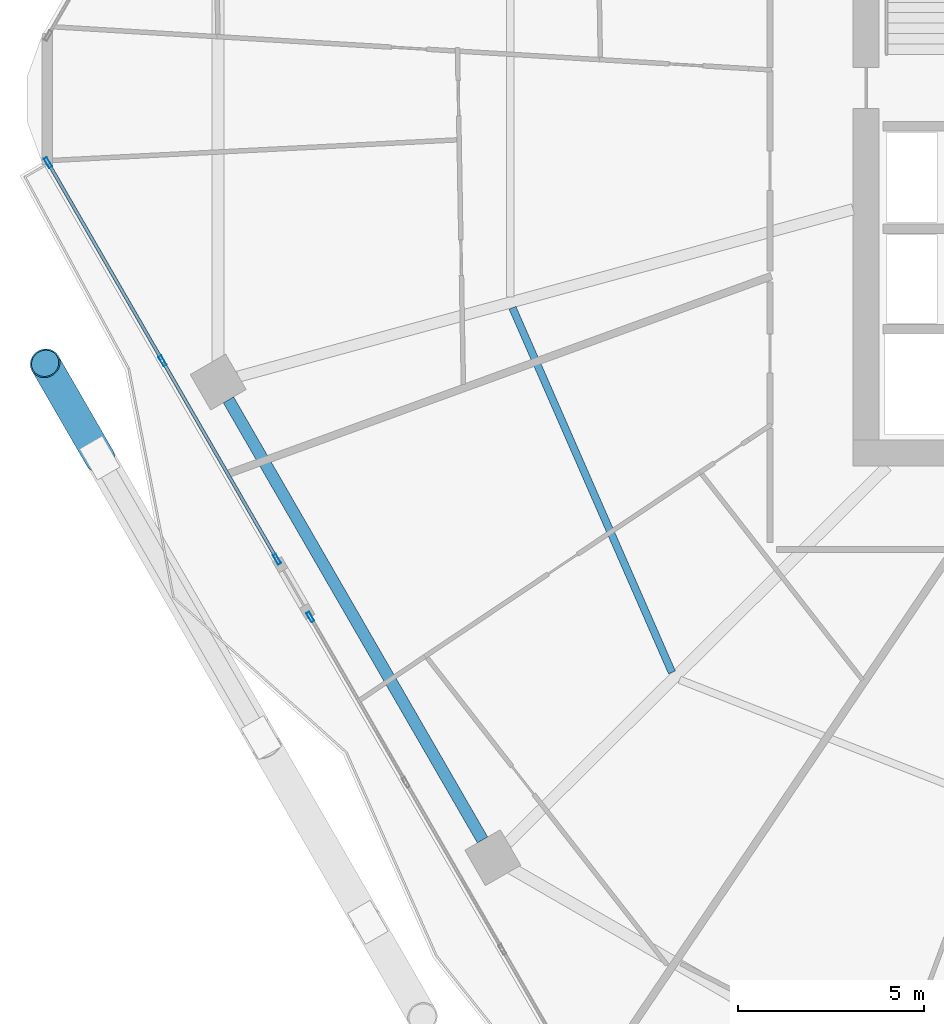
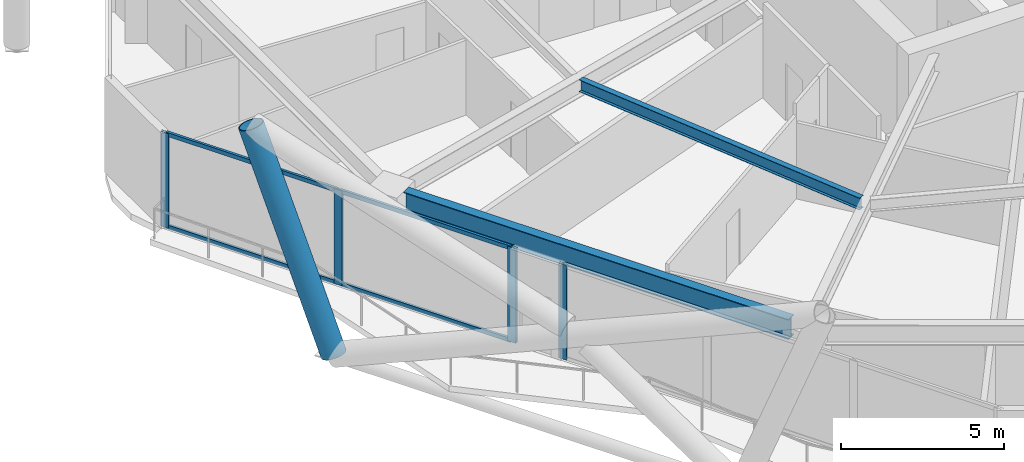
# One storey, part 5 of 34: 9 members, 2 beams, 2 elements without a shape of their own.
"""IFC4 building model written with IfcOpenShell, lengths in metres."""

from ifc_helpers import new_model, si_unit, direction, frame, origin, origin_2d, place, context, subcontext, project, spatial, hollow_rectangle, hollow_circle, i_section, extrude, material, material_profile, profile_set, type_object, element, aggregate, save


model = new_model("IFC4")

# Units and contexts
model_context = context("Model", 3, precision=1e-05, world=origin(), true_north=direction((0.0, 1.0)))
body_context = subcontext(model_context, "Body", "Model", "MODEL_VIEW")
ifc_project = project(units=[si_unit("LENGTHUNIT", "METRE"), si_unit("AREAUNIT", "SQUARE_METRE"), si_unit("VOLUMEUNIT", "CUBIC_METRE"), si_unit("PLANEANGLEUNIT", "RADIAN"), si_unit("MASSUNIT", "GRAM", prefix="KILO")], contexts=[model_context])

# Site, building, storey
site_placement = place(None, origin())
site = spatial("IfcSite", under=ifc_project, at=site_placement, CompositionType="ELEMENT")
building_placement = place(site_placement, origin())
building = spatial("IfcBuilding", under=site, at=building_placement, Name="Zuhravey Tower", CompositionType="ELEMENT")
storey_placement = place(building_placement, frame((0.0, 0.0, 100.0)))
storey = spatial("IfcBuildingStorey", under=building, at=storey_placement, Name="L24", CompositionType="ELEMENT", Elevation=100.0)

# Curtain wall, member
ifc_material_1 = material(Name="Thermally broken anodised aluminium", Category="aluminium")
curtain_wall_type = type_object("IfcCurtainWallType", Name="Zone 1-2 Residential Curtain Wall CW3", PredefinedType="NOTDEFINED", material=ifc_material_1)
curtain_wall_1_placement = place(storey_placement, origin())
curtain_wall_1 = element("IfcCurtainWall", 1, at=curtain_wall_1_placement, inside=storey, type_object=curtain_wall_type, Name="L24 CW3 CW-L24-F4-1", PredefinedType="NOTDEFINED")
ifc_material_2 = material(Name="Anodised aluminium", Category="aluminium")
ifc_material_profile_1 = material_profile(ifc_material_2, hollow_rectangle(XDim=0.090087890625, YDim=0.284912109375, WallThickness=0.0048828125, at=origin_2d()), Name="ALU-RHS-90x285x5")
ifc_profile_set_1 = profile_set([ifc_material_profile_1], Name="Anodised aluminium")
member_type_1 = type_object("IfcMemberType", Name="Curtain-Wall Mullion 90x180", PredefinedType="MULLION", material=ifc_profile_set_1)
member_1_placement = place(storey_placement, frame((10.583984375, 18.104736328125, 0.0), z_axis=(0.0, 0.0, 1.0), x_axis=(-0.866025805934, -0.499999303456, 0.0)))
member_1 = element("IfcMember", 2, at=member_1_placement, type_object=member_type_1, Name="CW3 mullion 4", PredefinedType="MULLION", context=body_context, shape_type="SweptSolid", body=[
    extrude(hollow_rectangle(XDim=0.090087890625, YDim=0.284912109375, WallThickness=0.0048828125, at=origin_2d()), origin(), (0.0, 0.0, 1.0), 3.550048828125),
])
aggregate(curtain_wall_1, [member_1])

# Curtain wall, members
curtain_wall_2_placement = place(storey_placement, origin())
curtain_wall_2 = element("IfcCurtainWall", 3, at=curtain_wall_2_placement, inside=storey, type_object=curtain_wall_type, Name="L24 CW3 CW-L24-F4-2", PredefinedType="NOTDEFINED")
member_2_placement = place(storey_placement, frame((9.689208984375, 19.65478515625, 0.0), z_axis=(0.0, 0.0, 1.0), x_axis=(-0.866026055952, -0.499998870411, 0.0)))
member_2 = element("IfcMember", 4, at=member_2_placement, type_object=member_type_1, Name="CW3 mullion 1", PredefinedType="MULLION", context=body_context, shape_type="SweptSolid", body=[
    extrude(hollow_rectangle(XDim=0.090087890625, YDim=0.284912109375, WallThickness=0.0048828125, at=origin_2d()), origin(), (0.0, 0.0, 1.0), 3.550048828125),
])
member_3_placement = place(storey_placement, frame((6.616455078125, 24.976806640625, 0.0), z_axis=(0.0, 0.0, 1.0), x_axis=(-0.866026055952, -0.499998870411, 0.0)))
member_3 = element("IfcMember", 5, at=member_3_placement, type_object=member_type_1, Name="CW3 mullion 2", PredefinedType="MULLION", context=body_context, shape_type="SweptSolid", body=[
    extrude(hollow_rectangle(XDim=0.090087890625, YDim=0.284912109375, WallThickness=0.0048828125, at=origin_2d()), origin(), (0.0, 0.0, 1.0), 3.550048828125),
])
member_4_placement = place(storey_placement, frame((3.5439453125, 30.298583984375, 0.0), z_axis=(0.0, 0.0, 1.0), x_axis=(-0.866026055952, -0.499998870411, 0.0)))
member_4 = element("IfcMember", 6, at=member_4_placement, type_object=member_type_1, Name="CW3 mullion 3", PredefinedType="MULLION", context=body_context, shape_type="SweptSolid", body=[
    extrude(hollow_rectangle(XDim=0.090087890625, YDim=0.284912109375, WallThickness=0.0048828125, at=origin_2d()), origin(), (0.0, 0.0, 1.0), 3.550048828125),
])
ifc_material_profile_2 = material_profile(ifc_material_2, hollow_rectangle(XDim=0.090087890625, YDim=0.14990234375, WallThickness=0.0048828125, at=origin_2d()), Name="ALU-RHS-90x150x5")
ifc_profile_set_2 = profile_set([ifc_material_profile_2], Name="Anodised aluminium")
member_type_2 = type_object("IfcMemberType", Name="Curtain-Wall Transom 90x150", PredefinedType="USERDEFINED", material=ifc_profile_set_2)
member_5_placement = place(storey_placement, frame((9.66650390625, 19.69384765625, 0.044921875), z_axis=(-0.499972588997, 0.866041228956, 0.0), x_axis=(-0.866041228956, -0.499972588997, 0.0)))
member_5 = element("IfcMember", 7, at=member_5_placement, type_object=member_type_2, Name="CW3 transom 1.1", ObjectType="TRANSOM", PredefinedType="USERDEFINED", context=body_context, shape_type="SweptSolid", body=[
    extrude(hollow_rectangle(XDim=0.090087890625, YDim=0.14990234375, WallThickness=0.0048828125, at=origin_2d()), origin(), (0.0, 0.0, 1.0), 6.054931640625),
])
member_6_placement = place(storey_placement, frame((9.66650390625, 19.69384765625, 3.5048828125), z_axis=(-0.499972588997, 0.866041228956, 0.0), x_axis=(-0.866041228956, -0.499972588997, 0.0)))
member_6 = element("IfcMember", 8, at=member_6_placement, type_object=member_type_2, Name="CW3 transom 1.2", ObjectType="TRANSOM", PredefinedType="USERDEFINED", context=body_context, shape_type="SweptSolid", body=[
    extrude(hollow_rectangle(XDim=0.090087890625, YDim=0.14990234375, WallThickness=0.0048828125, at=origin_2d()), origin(), (0.0, 0.0, 1.0), 6.054931640625),
])
member_7_placement = place(storey_placement, frame((6.593994140625, 25.015625, 0.044921875), z_axis=(-0.500002829465, 0.866023770186, 0.0), x_axis=(-0.866023770186, -0.500002829465, 0.0)))
member_7 = element("IfcMember", 9, at=member_7_placement, type_object=member_type_2, Name="CW3 transom 2.1", ObjectType="TRANSOM", PredefinedType="USERDEFINED", context=body_context, shape_type="SweptSolid", body=[
    extrude(hollow_rectangle(XDim=0.090087890625, YDim=0.14990234375, WallThickness=0.0048828125, at=origin_2d()), origin(), (0.0, 0.0, 1.0), 6.05517578125),
])
member_8_placement = place(storey_placement, frame((6.593994140625, 25.015625, 3.5048828125), z_axis=(-0.500002829465, 0.866023770186, 0.0), x_axis=(-0.866023770186, -0.500002829465, 0.0)))
member_8 = element("IfcMember", 10, at=member_8_placement, type_object=member_type_2, Name="CW3 transom 2.2", ObjectType="TRANSOM", PredefinedType="USERDEFINED", context=body_context, shape_type="SweptSolid", body=[
    extrude(hollow_rectangle(XDim=0.090087890625, YDim=0.14990234375, WallThickness=0.0048828125, at=origin_2d()), origin(), (0.0, 0.0, 1.0), 6.05517578125),
])
aggregate(curtain_wall_2, [member_2, member_3, member_4, member_5, member_6, member_7, member_8])

# Member
ifc_material_3 = material(Name="Steel SM460", Category="steel")
ifc_material_profile_3 = material_profile(ifc_material_3, hollow_circle(Radius=0.406494140625, WallThickness=0.035888671875, at=origin_2d()), Name="CHS-812.8x36")
ifc_profile_set_3 = profile_set([ifc_material_profile_3], Name="Steel SM460")
member_type_3 = type_object("IfcMemberType", Name="Exoskeleton Zone 1 Diagrid CHS813x36", PredefinedType="BRACE", material=ifc_profile_set_3)
member_9_placement = place(storey_placement, frame((4.929931640625, 22.378173828125, -0.44189453125), z_axis=(-0.180574288521, 0.312728273078, 0.932520216158), x_axis=(-0.866000778371, -0.500042650041, 0.0)))
element("IfcMember", 11, at=member_9_placement, inside=storey, type_object=member_type_3, Name="L24 Face 4 Diagrid Brace 1", PredefinedType="BRACE", context=body_context, shape_type="SweptSolid", body=[
    extrude(hollow_circle(Radius=0.406494140625, WallThickness=0.035888671875, at=origin_2d()), origin(), (0.0, 0.0, 1.0), 8.102783203125),
])

# Beams
ifc_material_4 = material(Name="Steel SM355", Category="steel")
ifc_material_profile_4 = material_profile(ifc_material_4, i_section(OverallWidth=0.320068359375, OverallDepth=0.75, WebThickness=0.013916015625, FlangeThickness=0.02490234375, at=origin_2d()), Name="H-750x320x14x25")
ifc_profile_set_4 = profile_set([ifc_material_profile_4], Name="Steel SM355")
beam_type_1 = type_object("IfcBeamType", Name="Perimeter Ring Beam H750x320", PredefinedType="BEAM", material=ifc_profile_set_4)
beam_1_placement = place(storey_placement, frame((8.387451171875, 23.929443359375, 3.175048828125), z_axis=(0.500008177929, -0.866020682204, 0.0), x_axis=(0.866020682204, 0.500008177929, 0.0)))
element("IfcBeam", 12, at=beam_1_placement, inside=storey, type_object=beam_type_1, Name="L24 PB1 BM-L24-PB-07", PredefinedType="BEAM", context=body_context, shape_type="SweptSolid", body=[
    extrude(i_section(OverallWidth=0.320068359375, OverallDepth=0.75, WebThickness=0.013916015625, FlangeThickness=0.02490234375, at=origin_2d()), origin(), (0.0, 0.0, 1.0), 13.634033203125),
])
ifc_material_profile_5 = material_profile(ifc_material_4, i_section(OverallWidth=0.199951171875, OverallDepth=0.449951171875, WebThickness=0.009033203125, FlangeThickness=0.013916015625, at=origin_2d()), Name="H-450x200x9x14")
ifc_profile_set_5 = profile_set([ifc_material_profile_5], Name="Steel SM355")
beam_type_2 = type_object("IfcBeamType", Name="Secondary Floor Joist H450x200", PredefinedType="JOIST", material=ifc_profile_set_5)
beam_2_placement = place(storey_placement, frame((16.00927734375, 26.400390625, 3.324951171875), z_axis=(0.400786454617, -0.916171500209, 0.0), x_axis=(0.916171500209, 0.400786454617, 0.0)))
element("IfcBeam", 13, at=beam_2_placement, inside=storey, type_object=beam_type_2, Name="L24 SJ1 BM-L24-SJ-07-1", PredefinedType="JOIST", context=body_context, shape_type="SweptSolid", body=[
    extrude(i_section(OverallWidth=0.199951171875, OverallDepth=0.449951171875, WebThickness=0.009033203125, FlangeThickness=0.013916015625, at=origin_2d()), origin(), (0.0, 0.0, 1.0), 10.6796875),
])

save(model, "model.ifc")
